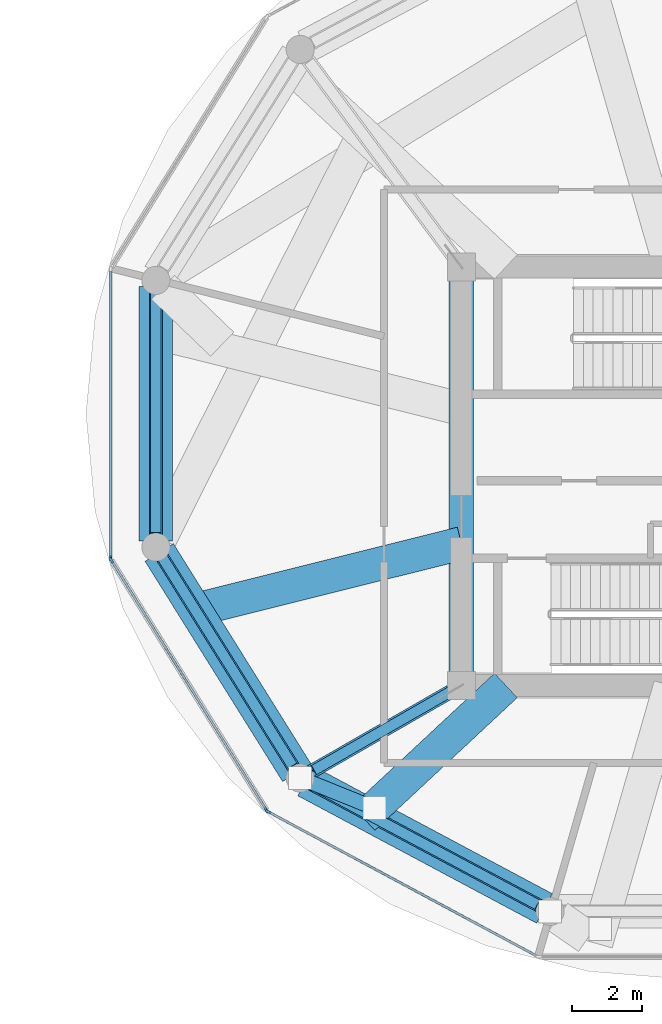
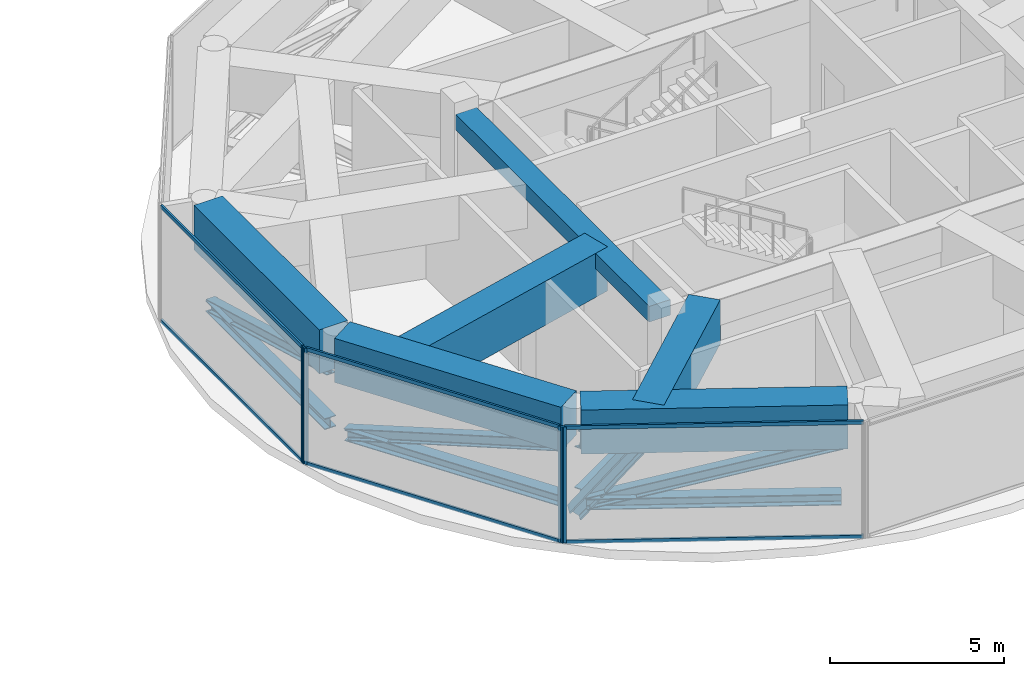
# One storey, part 6 of 20: 19 members, 6 beams, 3 elements without a shape of their own.
"""IFC4 building model written with IfcOpenShell, lengths in metres."""

from ifc_helpers import new_model, si_unit, direction, frame, origin, origin_2d, place, context, subcontext, project, spatial, rectangle, i_section, extrude, source, transform, mapped, material, layer, layer_set, material_profile, profile_set, type_object, type_shapes, element, aggregate, save


model = new_model("IFC4")

# Units and contexts
model_context = context("Model", 3, precision=1e-05, world=origin(), true_north=direction((0.0, 1.0)))
body_context = subcontext(model_context, "Body", "Model", "MODEL_VIEW")
ifc_project = project(units=[si_unit("LENGTHUNIT", "METRE"), si_unit("AREAUNIT", "SQUARE_METRE"), si_unit("VOLUMEUNIT", "CUBIC_METRE"), si_unit("PLANEANGLEUNIT", "RADIAN"), si_unit("MASSUNIT", "GRAM", prefix="KILO")], contexts=[model_context])

# Site, building, storey
site_placement = place(None, origin())
site = spatial("IfcSite", under=ifc_project, at=site_placement, CompositionType="ELEMENT")
building_placement = place(site_placement, origin())
building = spatial("IfcBuilding", under=site, at=building_placement, Name="Norrkilde Senior Care Towers", CompositionType="ELEMENT")
storey_placement = place(building_placement, frame((0.0, 0.0, 186.14990234375)))
storey = spatial("IfcBuildingStorey", under=building, at=storey_placement, Name="L58", CompositionType="ELEMENT", Elevation=186.14990234375)

# Beams
ifc_material_1 = material(Name="Concrete C60/75", Category="concrete")
ifc_material_profile_1 = material_profile(ifc_material_1, rectangle(XDim=0.699951171875, YDim=0.550048828125, at=origin_2d()), Name="RC BM 700x550")
ifc_profile_set_1 = profile_set([ifc_material_profile_1], Name="Concrete C60/75")
beam_type_1 = type_object("IfcBeamType", Name="Core Portal Coupling Beam 700x550", PredefinedType="USERDEFINED", material=ifc_profile_set_1)
shared_shape_1 = source(origin(), body_context, "Body", "SweptSolid", [
    extrude(rectangle(XDim=0.699951171875, YDim=0.550048828125, at=origin_2d()), origin(), (0.0, 0.0, 1.0), 11.14013671875),
])
type_shapes(beam_type_1, [shared_shape_1])
beam_1_placement = place(storey_placement, frame((20.35009765625, -5.570068359375, 3.80517578125), z_axis=(0.0, 1.0, 0.0), x_axis=(-1.0, 0.0, 0.0)))
element("IfcBeam", 1, at=beam_1_placement, inside=storey, type_object=beam_type_1, Name="L58 Core E W Coupling Girder", ObjectType="GIRDER", PredefinedType="USERDEFINED", context=body_context, shape_type="MappedRepresentation", body=[
    mapped(shared_shape_1, transform((0.0, 0.0, 0.0), x_axis=(1.0, 0.0, 0.0), y_axis=(0.0, 1.0, 0.0), z_axis=(0.0, 0.0, 1.0), scale=1.0)),
])
ifc_material_profile_2 = material_profile(ifc_material_1, rectangle(XDim=0.949951171875, YDim=1.550048828125, at=origin_2d()), Name="RC TG 950x1550")
ifc_profile_set_2 = profile_set([ifc_material_profile_2], Name="Concrete C60/75")
beam_type_2 = type_object("IfcBeamType", Name="Transfer Girder Zone Shift 950x1550", PredefinedType="USERDEFINED", material=ifc_profile_set_2)
shared_shape_2 = source(origin(), body_context, "Body", "SweptSolid", [
    extrude(rectangle(XDim=0.949951171875, YDim=1.550048828125, at=origin_2d()), origin(), (0.0, 0.0, 1.0), 7.693603515625),
])
beam_2_placement = place(storey_placement, frame((15.92626953125, -8.66845703125, 3.30517578125), z_axis=(0.88223081219, -0.470817155617, 0.0), x_axis=(0.470817155617, 0.88223081219, 0.0)))
element("IfcBeam", 2, at=beam_2_placement, inside=storey, type_object=beam_type_2, Name="L58 Drum E Zone Ring Transfer Girder 08", ObjectType="GIRDER", PredefinedType="USERDEFINED", context=body_context, shape_type="MappedRepresentation", body=[
    mapped(shared_shape_2, transform((0.0, 0.0, 0.0), x_axis=(1.0, 0.0, 0.0), y_axis=(0.0, 1.0, 0.0), z_axis=(0.0, 0.0, 1.0), scale=1.0)),
])
shared_shape_3 = source(origin(), body_context, "Body", "SweptSolid", [
    extrude(rectangle(XDim=0.949951171875, YDim=1.550048828125, at=origin_2d()), origin(), (0.0, 0.0, 1.0), 7.223388671875),
])
beam_3_placement = place(storey_placement, frame((11.6650390625, 5.386962890625, 3.30517578125), z_axis=(0.0, -1.0, 0.0), x_axis=(1.0, 0.0, 0.0)))
element("IfcBeam", 3, at=beam_3_placement, inside=storey, type_object=beam_type_2, Name="L58 Drum E Zone Ring Transfer Girder 06", ObjectType="GIRDER", PredefinedType="USERDEFINED", context=body_context, shape_type="MappedRepresentation", body=[
    mapped(shared_shape_3, transform((0.0, 0.0, 0.0), x_axis=(1.0, 0.0, 0.0), y_axis=(0.0, 1.0, 0.0), z_axis=(0.0, 0.0, 1.0), scale=1.0)),
])
shared_shape_4 = source(origin(), body_context, "Body", "SweptSolid", [
    extrude(rectangle(XDim=0.949951171875, YDim=1.550048828125, at=origin_2d()), origin(), (0.0, 0.0, 1.0), 7.383544921875),
])
beam_4_placement = place(storey_placement, frame((11.760498046875, -2.1689453125, 3.30517578125), z_axis=(0.529778979404, -0.848135739715, 0.0), x_axis=(0.848135739715, 0.529778979404, 0.0)))
element("IfcBeam", 4, at=beam_4_placement, inside=storey, type_object=beam_type_2, Name="L58 Drum E Zone Ring Transfer Girder 07", ObjectType="GIRDER", PredefinedType="USERDEFINED", context=body_context, shape_type="MappedRepresentation", body=[
    mapped(shared_shape_4, transform((0.0, 0.0, 0.0), x_axis=(1.0, 0.0, 0.0), y_axis=(0.0, 1.0, 0.0), z_axis=(0.0, 0.0, 1.0), scale=1.0)),
])
shared_shape_5 = source(origin(), body_context, "Body", "SweptSolid", [
    extrude(rectangle(XDim=0.949951171875, YDim=1.550048828125, at=origin_2d()), origin(), (0.0, 0.0, 1.0), 5.532958984375),
])
beam_5_placement = place(storey_placement, frame((21.6171875, -5.949951171875, 3.30517578125), z_axis=(-0.731470395808, -0.681873199398, 0.0), x_axis=(0.681873199398, -0.731470395808, 0.0)))
element("IfcBeam", 5, at=beam_5_placement, inside=storey, type_object=beam_type_2, Name="L58 Drum E Zone Transfer Girder 08", ObjectType="GIRDER", PredefinedType="USERDEFINED", context=body_context, shape_type="MappedRepresentation", body=[
    mapped(shared_shape_5, transform((0.0, 0.0, 0.0), x_axis=(1.0, 0.0, 0.0), y_axis=(0.0, 1.0, 0.0), z_axis=(0.0, 0.0, 1.0), scale=1.0)),
])

# Member
ifc_material_2 = material(Name="Steel S355", Category="steel")
ifc_material_profile_3 = material_profile(ifc_material_2, i_section(OverallWidth=0.412109375, OverallDepth=0.449951171875, WebThickness=0.028076171875, FlangeThickness=0.044921875, FilletRadius=0.014892578125, at=origin_2d()), Name="HD 400x509")
ifc_profile_set_3 = profile_set([ifc_material_profile_3], Name="Steel S355")
member_type_1 = type_object("IfcMemberType", Name="Pratt Bridge Truss Diagonal HD400x509", PredefinedType="BRACE", material=ifc_profile_set_3)
shared_shape_6 = source(origin(), body_context, "Body", "SweptSolid", [
    extrude(i_section(OverallWidth=0.412109375, OverallDepth=0.449951171875, WebThickness=0.028076171875, FlangeThickness=0.044921875, FilletRadius=0.014892578125, at=origin_2d()), origin(), (0.0, 0.0, 1.0), 3.515869140625),
])
type_shapes(member_type_1, [shared_shape_6])
member_1_placement = place(storey_placement, frame((15.767333984375, -8.583740234375, 0.150146484375), z_axis=(0.600164859424, -0.242482435394, 0.76223645284), x_axis=(0.374606716081, 0.927183805007, 0.0)))
element("IfcMember", 6, at=member_1_placement, inside=storey, type_object=member_type_1, Name="L58 Drum E Zone Transfer Raking Strut 08", PredefinedType="BRACE", context=body_context, shape_type="MappedRepresentation", body=[
    mapped(shared_shape_6, transform((0.0, 0.0, 0.0), x_axis=(1.0, 0.0, 0.0), y_axis=(0.0, 1.0, 0.0), z_axis=(0.0, 0.0, 1.0), scale=1.0)),
])

# Beam
shared_shape_7 = source(origin(), body_context, "Body", "SweptSolid", [
    extrude(rectangle(XDim=0.949951171875, YDim=1.550048828125, at=origin_2d()), origin(), (0.0, 0.0, 1.0), 7.802490234375),
])
type_shapes(beam_type_2, [shared_shape_2, shared_shape_3, shared_shape_4, shared_shape_5, shared_shape_7])
beam_6_placement = place(storey_placement, frame((20.35009765625, -1.910888671875, 3.30517578125), z_axis=(-0.970190337175, -0.242344196653, 0.0), x_axis=(0.242344196653, -0.970190337175, 0.0)))
element("IfcBeam", 7, at=beam_6_placement, inside=storey, type_object=beam_type_2, Name="L58 Drum E Zone Transfer Girder 07", ObjectType="GIRDER", PredefinedType="USERDEFINED", context=body_context, shape_type="MappedRepresentation", body=[
    mapped(shared_shape_7, transform((0.0, 0.0, 0.0), x_axis=(1.0, 0.0, 0.0), y_axis=(0.0, 1.0, 0.0), z_axis=(0.0, 0.0, 1.0), scale=1.0)),
])

# Members
ifc_material_profile_4 = material_profile(ifc_material_2, i_section(OverallWidth=0.300048828125, OverallDepth=0.39990234375, WebThickness=0.013427734375, FlangeThickness=0.02392578125, FilletRadius=0.027099609375, at=origin_2d()), Name="HEB 400")
ifc_profile_set_4 = profile_set([ifc_material_profile_4], Name="Steel S355")
member_type_2 = type_object("IfcMemberType", Name="Belt Truss Diagonal HEB400", PredefinedType="BRACE", material=ifc_profile_set_4)
shared_shape_8 = source(origin(), body_context, "Body", "SweptSolid", [
    extrude(i_section(OverallWidth=0.300048828125, OverallDepth=0.39990234375, WebThickness=0.013427734375, FlangeThickness=0.02392578125, FilletRadius=0.027099609375, at=origin_2d()), origin(), (0.0, 0.0, 1.0), 7.28369140625),
])
member_2_placement = place(storey_placement, frame((11.855712890625, -2.32177734375, 0.550048828125), z_axis=(0.510868141295, -0.81780466579, 0.264970320644), x_axis=(0.848119362441, 0.529805197269, 0.0)))
element("IfcMember", 8, at=member_2_placement, inside=storey, type_object=member_type_2, Name="L58 Drum E Belt Truss Diagonal 07", PredefinedType="BRACE", context=body_context, shape_type="MappedRepresentation", body=[
    mapped(shared_shape_8, transform((0.0, 0.0, 0.0), x_axis=(1.0, 0.0, 0.0), y_axis=(0.0, 1.0, 0.0), z_axis=(0.0, 0.0, 1.0), scale=1.0)),
])
shared_shape_9 = source(origin(), body_context, "Body", "SweptSolid", [
    extrude(i_section(OverallWidth=0.300048828125, OverallDepth=0.39990234375, WebThickness=0.013427734375, FlangeThickness=0.02392578125, FilletRadius=0.027099609375, at=origin_2d()), origin(), (0.0, 0.0, 1.0), 7.58349609375),
])
member_3_placement = place(storey_placement, frame((16.0849609375, -8.753173828125, 0.550048828125), z_axis=(0.853187267033, -0.455310071604, 0.254488164889), x_axis=(0.470811109101, 0.882234038987, 0.0)))
element("IfcMember", 9, at=member_3_placement, inside=storey, type_object=member_type_2, Name="L58 Drum E Belt Truss Diagonal 08", PredefinedType="BRACE", context=body_context, shape_type="MappedRepresentation", body=[
    mapped(shared_shape_9, transform((0.0, 0.0, 0.0), x_axis=(1.0, 0.0, 0.0), y_axis=(0.0, 1.0, 0.0), z_axis=(0.0, 0.0, 1.0), scale=1.0)),
])
ifc_material_profile_5 = material_profile(ifc_material_2, i_section(OverallWidth=0.3740234375, OverallDepth=0.386962890625, WebThickness=0.01611328125, FlangeThickness=0.027099609375, FilletRadius=0.014892578125, at=origin_2d()), Name="HD 360x262")
ifc_profile_set_5 = profile_set([ifc_material_profile_5], Name="Steel S355")
member_type_3 = type_object("IfcMemberType", Name="Belt Truss Ring Chord HD360x262", PredefinedType="CHORD", material=ifc_profile_set_5)
shared_shape_10 = source(origin(), body_context, "Body", "SweptSolid", [
    extrude(i_section(OverallWidth=0.3740234375, OverallDepth=0.386962890625, WebThickness=0.01611328125, FlangeThickness=0.027099609375, FilletRadius=0.014892578125, at=origin_2d()), origin(), (0.0, 0.0, 1.0), 6.86328125),
])
member_4_placement = place(storey_placement, frame((11.6650390625, 5.20703125, 0.550048828125), z_axis=(0.0, -1.0, 0.0), x_axis=(1.0, 0.0, 0.0)))
element("IfcMember", 10, at=member_4_placement, inside=storey, type_object=member_type_3, Name="L58 Drum E Belt Truss Bottom Chord 06", PredefinedType="CHORD", context=body_context, shape_type="MappedRepresentation", body=[
    mapped(shared_shape_10, transform((0.0, 0.0, 0.0), x_axis=(1.0, 0.0, 0.0), y_axis=(0.0, 1.0, 0.0), z_axis=(0.0, 0.0, 1.0), scale=1.0)),
])
shared_shape_11 = source(origin(), body_context, "Body", "SweptSolid", [
    extrude(i_section(OverallWidth=0.300048828125, OverallDepth=0.39990234375, WebThickness=0.013427734375, FlangeThickness=0.02392578125, FilletRadius=0.027099609375, at=origin_2d()), origin(), (0.0, 0.0, 1.0), 7.12939453125),
])
type_shapes(member_type_2, [shared_shape_8, shared_shape_9, shared_shape_11])
member_5_placement = place(storey_placement, frame((11.6650390625, 5.20703125, 0.550048828125), z_axis=(0.0, -0.962664326635, 0.270697976026), x_axis=(1.0, 0.0, 0.0)))
element("IfcMember", 11, at=member_5_placement, inside=storey, type_object=member_type_2, Name="L58 Drum E Belt Truss Diagonal 06", PredefinedType="BRACE", context=body_context, shape_type="MappedRepresentation", body=[
    mapped(shared_shape_11, transform((0.0, 0.0, 0.0), x_axis=(1.0, 0.0, 0.0), y_axis=(0.0, 1.0, 0.0), z_axis=(0.0, 0.0, 1.0), scale=1.0)),
])
shared_shape_12 = source(origin(), body_context, "Body", "SweptSolid", [
    extrude(i_section(OverallWidth=0.3740234375, OverallDepth=0.386962890625, WebThickness=0.01611328125, FlangeThickness=0.027099609375, FilletRadius=0.014892578125, at=origin_2d()), origin(), (0.0, 0.0, 1.0), 7.023193359375),
])
member_6_placement = place(storey_placement, frame((11.855712890625, -2.32177734375, 0.550048828125), z_axis=(0.529805197269, -0.848119362441, 0.0), x_axis=(0.848119362441, 0.529805197269, 0.0)))
element("IfcMember", 12, at=member_6_placement, inside=storey, type_object=member_type_3, Name="L58 Drum E Belt Truss Bottom Chord 07", PredefinedType="CHORD", context=body_context, shape_type="MappedRepresentation", body=[
    mapped(shared_shape_12, transform((0.0, 0.0, 0.0), x_axis=(1.0, 0.0, 0.0), y_axis=(0.0, 1.0, 0.0), z_axis=(0.0, 0.0, 1.0), scale=1.0)),
])
shared_shape_13 = source(origin(), body_context, "Body", "SweptSolid", [
    extrude(i_section(OverallWidth=0.3740234375, OverallDepth=0.386962890625, WebThickness=0.01611328125, FlangeThickness=0.027099609375, FilletRadius=0.014892578125, at=origin_2d()), origin(), (0.0, 0.0, 1.0), 7.333984375),
])
type_shapes(member_type_3, [shared_shape_10, shared_shape_12, shared_shape_13])
member_7_placement = place(storey_placement, frame((16.0849609375, -8.753173828125, 0.550048828125), z_axis=(0.882234038987, -0.470811109101, 0.0), x_axis=(0.470811109101, 0.882234038987, 0.0)))
element("IfcMember", 13, at=member_7_placement, inside=storey, type_object=member_type_3, Name="L58 Drum E Belt Truss Bottom Chord 08", PredefinedType="CHORD", context=body_context, shape_type="MappedRepresentation", body=[
    mapped(shared_shape_13, transform((0.0, 0.0, 0.0), x_axis=(1.0, 0.0, 0.0), y_axis=(0.0, 1.0, 0.0), z_axis=(0.0, 0.0, 1.0), scale=1.0)),
])
ifc_material_profile_6 = material_profile(ifc_material_2, i_section(OverallWidth=0.402099609375, OverallDepth=0.419921875, WebThickness=0.02001953125, FlangeThickness=0.032958984375, FilletRadius=0.014892578125, at=origin_2d()), Name="HD 400x347")
ifc_profile_set_6 = profile_set([ifc_material_profile_6], Name="Steel S355")
member_type_4 = type_object("IfcMemberType", Name="Outrigger Truss Chord HD400x347", PredefinedType="CHORD", material=ifc_profile_set_6)
shared_shape_14 = source(origin(), body_context, "Body", "SweptSolid", [
    extrude(i_section(OverallWidth=0.402099609375, OverallDepth=0.419921875, WebThickness=0.02001953125, FlangeThickness=0.032958984375, FilletRadius=0.014892578125, at=origin_2d()), origin(), (0.0, 0.0, 1.0), 4.5654296875),
])
type_shapes(member_type_4, [shared_shape_14])
member_8_placement = place(storey_placement, frame((20.037841796875, -6.12939453125, 0.550048828125), z_axis=(-0.867009695174, -0.498291268712, 0.0), x_axis=(0.498291268712, -0.867009695174, 0.0)))
element("IfcMember", 14, at=member_8_placement, inside=storey, type_object=member_type_4, Name="L58 Drum E Outrigger Chord 1", PredefinedType="CHORD", context=body_context, shape_type="MappedRepresentation", body=[
    mapped(shared_shape_14, transform((0.0, 0.0, 0.0), x_axis=(1.0, 0.0, 0.0), y_axis=(0.0, 1.0, 0.0), z_axis=(0.0, 0.0, 1.0), scale=1.0)),
])
ifc_material_profile_7 = material_profile(ifc_material_2, i_section(OverallWidth=0.300048828125, OverallDepth=0.5, WebThickness=0.014404296875, FlangeThickness=0.028076171875, FilletRadius=0.027099609375, at=origin_2d()), Name="HEB 500")
ifc_profile_set_7 = profile_set([ifc_material_profile_7], Name="Steel S355")
member_type_5 = type_object("IfcMemberType", Name="Outrigger Truss Diagonal HEB500", PredefinedType="BRACE", material=ifc_profile_set_7)
shared_shape_15 = source(origin(), body_context, "Body", "SweptSolid", [
    extrude(i_section(OverallWidth=0.300048828125, OverallDepth=0.5, WebThickness=0.014404296875, FlangeThickness=0.028076171875, FilletRadius=0.027099609375, at=origin_2d()), origin(), (0.0, 0.0, 1.0), 4.95654296875),
])
type_shapes(member_type_5, [shared_shape_15])
member_9_placement = place(storey_placement, frame((20.037841796875, -6.12939453125, 0.550048828125), z_axis=(-0.798587092591, -0.45896715776, 0.389368467707), x_axis=(0.498291268712, -0.867009695174, 0.0)))
element("IfcMember", 15, at=member_9_placement, inside=storey, type_object=member_type_5, Name="L58 Drum E Outrigger Diagonal 1", PredefinedType="BRACE", context=body_context, shape_type="MappedRepresentation", body=[
    mapped(shared_shape_15, transform((0.0, 0.0, 0.0), x_axis=(1.0, 0.0, 0.0), y_axis=(0.0, 1.0, 0.0), z_axis=(0.0, 0.0, 1.0), scale=1.0)),
])

# Curtain wall, member
ifc_material_3 = material(Name="Triple Low-E Insulated Glazing", Category="glass")
ifc_layer = layer(ifc_material_3, 0.18505859375)
ifc_layer_set = layer_set([ifc_layer], Name="Triple Low-E Insulated Glazing")
curtain_wall_type = type_object("IfcCurtainWallType", Name="CW6 Zone 4 Crown Pavilion Curtain Wall", PredefinedType="NOTDEFINED", material=ifc_layer_set)
curtain_wall_1_placement = place(storey_placement, origin())
curtain_wall_1 = element("IfcCurtainWall", 16, at=curtain_wall_1_placement, inside=storey, type_object=curtain_wall_type, Name="L58 Drum E Curtain Wall 05", PredefinedType="NOTDEFINED")
ifc_material_4 = material(Name="Anodised Aluminium", Category="aluminium")
ifc_material_profile_8 = material_profile(ifc_material_4, rectangle(XDim=0.070068359375, YDim=0.169921875, at=origin_2d()), Name="ALU MULL 70x170")
ifc_profile_set_8 = profile_set([ifc_material_profile_8], Name="Anodised Aluminium")
member_type_6 = type_object("IfcMemberType", Name="Curtain Wall Mullion Heavy 70x170", PredefinedType="MULLION", material=ifc_profile_set_8)
shared_shape_16 = source(origin(), body_context, "Body", "SweptSolid", [
    extrude(rectangle(XDim=0.070068359375, YDim=0.169921875, at=origin_2d()), origin(), (0.0, 0.0, 1.0), 4.080078125),
])
type_shapes(member_type_6, [shared_shape_16])
member_10_placement = place(storey_placement, frame((10.38037109375, -2.32568359375, 0.0), z_axis=(0.0, 0.0, 1.0), x_axis=(-1.0, 0.0, 0.0)))
member_10 = element("IfcMember", 17, at=member_10_placement, type_object=member_type_6, Name="CW-6 mullion 1", PredefinedType="MULLION", context=body_context, shape_type="MappedRepresentation", body=[
    mapped(shared_shape_16, transform((0.0, 0.0, 0.0), x_axis=(1.0, 0.0, 0.0), y_axis=(0.0, 1.0, 0.0), z_axis=(0.0, 0.0, 1.0), scale=1.0)),
])

# Curtain wall, members
curtain_wall_2_placement = place(storey_placement, origin())
curtain_wall_2 = element("IfcCurtainWall", 18, at=curtain_wall_2_placement, inside=storey, type_object=curtain_wall_type, Name="L58 Drum E Curtain Wall 06", PredefinedType="NOTDEFINED")
member_11_placement = place(storey_placement, frame((14.808349609375, -9.494384765625, 0.0), z_axis=(0.0, 0.0, 1.0), x_axis=(-0.84963405474, -0.52737270789, 0.0)))
member_11 = element("IfcMember", 19, at=member_11_placement, type_object=member_type_6, Name="CW-6 mullion 1", PredefinedType="MULLION", context=body_context, shape_type="MappedRepresentation", body=[
    mapped(shared_shape_16, transform((0.0, 0.0, 0.0), x_axis=(1.0, 0.0, 0.0), y_axis=(0.0, 1.0, 0.0), z_axis=(0.0, 0.0, 1.0), scale=1.0)),
])
member_12_placement = place(storey_placement, frame((10.39892578125, -2.390380859375, 0.0), z_axis=(0.0, 0.0, 1.0), x_axis=(-0.84963405474, -0.52737270789, 0.0)))
member_12 = element("IfcMember", 20, at=member_12_placement, type_object=member_type_6, Name="CW-6 mullion 2", PredefinedType="MULLION", context=body_context, shape_type="MappedRepresentation", body=[
    mapped(shared_shape_16, transform((0.0, 0.0, 0.0), x_axis=(1.0, 0.0, 0.0), y_axis=(0.0, 1.0, 0.0), z_axis=(0.0, 0.0, 1.0), scale=1.0)),
])

# Curtain wall, member
curtain_wall_3_placement = place(storey_placement, origin())
curtain_wall_3 = element("IfcCurtainWall", 21, at=curtain_wall_3_placement, inside=storey, type_object=curtain_wall_type, Name="L58 Drum E Curtain Wall 07", PredefinedType="NOTDEFINED")
member_13_placement = place(storey_placement, frame((14.857666015625, -9.540771484375, 0.0), z_axis=(0.0, 0.0, 1.0), x_axis=(-0.47311715104, -0.880999524059, 0.0)))
member_13 = element("IfcMember", 22, at=member_13_placement, type_object=member_type_6, Name="CW-6 mullion 2", PredefinedType="MULLION", context=body_context, shape_type="MappedRepresentation", body=[
    mapped(shared_shape_16, transform((0.0, 0.0, 0.0), x_axis=(1.0, 0.0, 0.0), y_axis=(0.0, 1.0, 0.0), z_axis=(0.0, 0.0, 1.0), scale=1.0)),
])

# Member
ifc_material_profile_9 = material_profile(ifc_material_4, rectangle(XDim=0.06494140625, YDim=0.1298828125, at=origin_2d()), Name="ALU TRAN 65x130")
ifc_profile_set_9 = profile_set([ifc_material_profile_9], Name="Anodised Aluminium")
member_type_7 = type_object("IfcMemberType", Name="Curtain Wall Transom Heavy 65x130", PredefinedType="USERDEFINED", material=ifc_profile_set_9)
shared_shape_17 = source(origin(), body_context, "Body", "SweptSolid", [
    extrude(rectangle(XDim=0.06494140625, YDim=0.1298828125, at=origin_2d()), origin(), (0.0, 0.0, 1.0), 8.29150390625),
])
member_14_placement = place(storey_placement, frame((14.7900390625, -9.46484375, 0.03271484375), z_axis=(-0.527384117405, 0.849626972682, 0.0), x_axis=(-0.849626972682, -0.527384117405, 0.0)))
member_14 = element("IfcMember", 23, at=member_14_placement, type_object=member_type_7, Name="CW-6 transom 1.1", ObjectType="TRANSOM", PredefinedType="USERDEFINED", context=body_context, shape_type="MappedRepresentation", body=[
    mapped(shared_shape_17, transform((0.0, 0.0, 0.0), x_axis=(1.0, 0.0, 0.0), y_axis=(0.0, 1.0, 0.0), z_axis=(0.0, 0.0, 1.0), scale=1.0)),
])

member_15_placement = place(storey_placement, frame((14.7900390625, -9.46484375, 4.047607421875), z_axis=(-0.527384117405, 0.849626972682, 0.0), x_axis=(-0.849626972682, -0.527384117405, 0.0)))
member_15 = element("IfcMember", 24, at=member_15_placement, type_object=member_type_7, Name="CW-6 transom 1.2", ObjectType="TRANSOM", PredefinedType="USERDEFINED", context=body_context, shape_type="MappedRepresentation", body=[
    mapped(shared_shape_17, transform((0.0, 0.0, 0.0), x_axis=(1.0, 0.0, 0.0), y_axis=(0.0, 1.0, 0.0), z_axis=(0.0, 0.0, 1.0), scale=1.0)),
])

aggregate(curtain_wall_2, [member_11, member_12, member_14, member_15])

shared_shape_18 = source(origin(), body_context, "Body", "SweptSolid", [
    extrude(rectangle(XDim=0.06494140625, YDim=0.1298828125, at=origin_2d()), origin(), (0.0, 0.0, 1.0), 8.601806640625),
])
member_16_placement = place(storey_placement, frame((22.466796875, -13.626953125, 0.03271484375), z_axis=(-0.881001878067, 0.473112767574, 0.0), x_axis=(-0.473112767574, -0.881001878067, 0.0)))
member_16 = element("IfcMember", 25, at=member_16_placement, type_object=member_type_7, Name="CW-6 transom 1.1", ObjectType="TRANSOM", PredefinedType="USERDEFINED", context=body_context, shape_type="MappedRepresentation", body=[
    mapped(shared_shape_18, transform((0.0, 0.0, 0.0), x_axis=(1.0, 0.0, 0.0), y_axis=(0.0, 1.0, 0.0), z_axis=(0.0, 0.0, 1.0), scale=1.0)),
])

member_17_placement = place(storey_placement, frame((22.466796875, -13.626953125, 4.047607421875), z_axis=(-0.881001878067, 0.473112767574, 0.0), x_axis=(-0.473112767574, -0.881001878067, 0.0)))
member_17 = element("IfcMember", 26, at=member_17_placement, type_object=member_type_7, Name="CW-6 transom 1.2", ObjectType="TRANSOM", PredefinedType="USERDEFINED", context=body_context, shape_type="MappedRepresentation", body=[
    mapped(shared_shape_18, transform((0.0, 0.0, 0.0), x_axis=(1.0, 0.0, 0.0), y_axis=(0.0, 1.0, 0.0), z_axis=(0.0, 0.0, 1.0), scale=1.0)),
])

aggregate(curtain_wall_3, [member_13, member_16, member_17])

shared_shape_19 = source(origin(), body_context, "Body", "SweptSolid", [
    extrude(rectangle(XDim=0.06494140625, YDim=0.1298828125, at=origin_2d()), origin(), (0.0, 0.0, 1.0), 8.1318359375),
])
type_shapes(member_type_7, [shared_shape_17, shared_shape_18, shared_shape_19])
member_18_placement = place(storey_placement, frame((10.38037109375, -2.29052734375, 0.03271484375), z_axis=(0.0, 1.0, 0.0), x_axis=(-1.0, 0.0, 0.0)))
member_18 = element("IfcMember", 27, at=member_18_placement, type_object=member_type_7, Name="CW-6 transom 1.1", ObjectType="TRANSOM", PredefinedType="USERDEFINED", context=body_context, shape_type="MappedRepresentation", body=[
    mapped(shared_shape_19, transform((0.0, 0.0, 0.0), x_axis=(1.0, 0.0, 0.0), y_axis=(0.0, 1.0, 0.0), z_axis=(0.0, 0.0, 1.0), scale=1.0)),
])

member_19_placement = place(storey_placement, frame((10.38037109375, -2.29052734375, 4.047607421875), z_axis=(0.0, 1.0, 0.0), x_axis=(-1.0, 0.0, 0.0)))
member_19 = element("IfcMember", 28, at=member_19_placement, type_object=member_type_7, Name="CW-6 transom 1.2", ObjectType="TRANSOM", PredefinedType="USERDEFINED", context=body_context, shape_type="MappedRepresentation", body=[
    mapped(shared_shape_19, transform((0.0, 0.0, 0.0), x_axis=(1.0, 0.0, 0.0), y_axis=(0.0, 1.0, 0.0), z_axis=(0.0, 0.0, 1.0), scale=1.0)),
])

aggregate(curtain_wall_1, [member_10, member_18, member_19])

save(model, "model.ifc")
